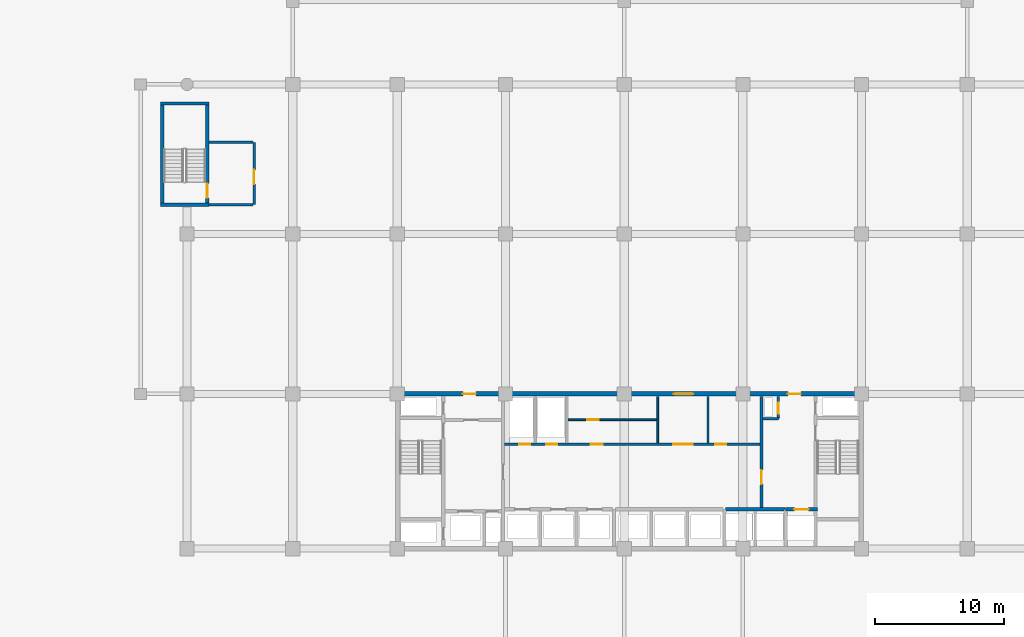
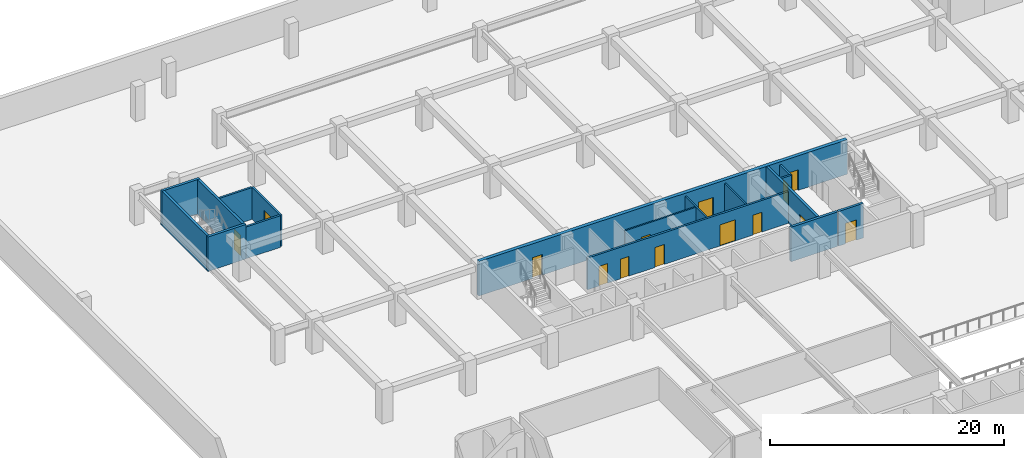
# One storey, part 10 of 23: 17 walls, 14 doors, 14 openings.
"""IFC4 building model written with IfcOpenShell, lengths in metres."""

from ifc_helpers import new_model, si_unit, direction, frame, frame_2d, origin, place, context, subcontext, project, spatial, rectangle, extrude, material, layer, layer_set, type_object, element, fill, save


model = new_model("IFC4")

# Units and contexts
model_context = context("Model", 3, precision=1e-05, world=origin(), true_north=direction((0.0, 1.0)))
body_context = subcontext(model_context, "Body", "Model", "MODEL_VIEW")
ifc_project = project(units=[si_unit("LENGTHUNIT", "METRE"), si_unit("AREAUNIT", "SQUARE_METRE"), si_unit("VOLUMEUNIT", "CUBIC_METRE"), si_unit("PLANEANGLEUNIT", "RADIAN"), si_unit("MASSUNIT", "GRAM", prefix="KILO")], contexts=[model_context])

# Site, building, storey
site_placement = place(None, origin())
site = spatial("IfcSite", under=ifc_project, at=site_placement, CompositionType="ELEMENT")
building_placement = place(site_placement, origin())
building = spatial("IfcBuilding", under=site, at=building_placement, Name="Korimba Cascade Residences", CompositionType="ELEMENT")
storey_placement = place(building_placement, frame((0.0, 0.0, -3.60009765625)))
storey = spatial("IfcBuildingStorey", under=building, at=storey_placement, Name="B01", CompositionType="ELEMENT", Elevation=-3.60009765625)

# Wall, openings, doors
ifc_material_1 = material(Name="Concrete C65/80", Category="concrete")
ifc_layer_1 = layer(ifc_material_1, 0.35009765625)
ifc_layer_set_1 = layer_set([ifc_layer_1], Name="Concrete C65/80")
wall_type_1 = type_object("IfcWallType", Name="WAL-CORE-350", PredefinedType="SHEAR", material=ifc_layer_set_1)
wall_1_placement = place(storey_placement, frame((75.949951171875, 67.199951171875, 0.0), z_axis=(0.0, 0.0, 1.0), x_axis=(1.0, 0.0, 0.0)))
wall_1 = element("IfcWall", 1, at=wall_1_placement, inside=storey, type_object=wall_type_1, Name="B01 Core Shear Wall CW-B01-T1-N", PredefinedType="SHEAR", context=body_context, shape_type="SweptSolid", body=[
    extrude(rectangle(XDim=36.300048828125, YDim=0.35009765625, at=frame_2d((18.14990234375, 0.0))), origin(), (0.0, 0.0, 1.0), 3.60009765625),
])
opening_1_placement = place(wall_1_placement, frame((5.25, 0.0, 0.0)))
opening_1 = element("IfcOpeningElement", 2, at=opening_1_placement, cuts=wall_1, Name="Opening D-FD5", PredefinedType="OPENING", context=body_context, shape_type="SweptSolid", body=[
    extrude(rectangle(XDim=1.0, YDim=2.14990234375, at=frame_2d((0.5, 1.074951171875))), frame((0.0, 0.18505859375, 0.0), z_axis=(0.0, -1.0, 0.0), x_axis=(1.0, 0.0, 0.0)), (0.0, 0.0, 1.0), 0.3701171875),
])
opening_2_placement = place(wall_1_placement, frame((21.60009765625, 0.0, 0.0)))
opening_2 = element("IfcOpeningElement", 3, at=opening_2_placement, cuts=wall_1, Name="Opening D-FD8", PredefinedType="OPENING", context=body_context, shape_type="SweptSolid", body=[
    extrude(rectangle(XDim=1.5, YDim=2.199951171875, at=frame_2d((0.75, 1.10009765625))), frame((0.0, 0.18505859375, 0.0), z_axis=(0.0, -1.0, 0.0), x_axis=(1.0, 0.0, 0.0)), (0.0, 0.0, 1.0), 0.3701171875),
])
opening_3_placement = place(wall_1_placement, frame((30.449951171875, 0.0, 0.0)))
opening_3 = element("IfcOpeningElement", 4, at=opening_3_placement, cuts=wall_1, Name="Opening D-FD5", PredefinedType="OPENING", context=body_context, shape_type="SweptSolid", body=[
    extrude(rectangle(XDim=1.0, YDim=2.14990234375, at=frame_2d((0.5, 1.074951171875))), frame((0.0, 0.18505859375, 0.0), z_axis=(0.0, -1.0, 0.0), x_axis=(1.0, 0.0, 0.0)), (0.0, 0.0, 1.0), 0.3701171875),
])
ifc_material_2 = material(Name="Fire-Rated Acoustic Timber Vestibule Door", Category="wood")
door_type_1 = type_object("IfcDoorType", Name="DR-FD90-1000", OperationType="NOTDEFINED", PredefinedType="DOOR", material=ifc_material_2)
door_1_placement = place(opening_1_placement, origin())
door_1 = element("IfcDoor", 5, at=door_1_placement, inside=storey, type_object=door_type_1, Name="B01 T1 West Core Vestibule Fire Door", OperationType="SINGLE_SWING_RIGHT", OverallHeight=2.14990234375, OverallWidth=1.0, PredefinedType="DOOR", context=body_context, shape_type="SweptSolid", body=[
    extrude(rectangle(XDim=1.0, YDim=2.14990234375, at=frame_2d((0.5, 1.074951171875))), frame((0.0, 0.02490234375, 0.0), z_axis=(0.0, -1.0, 0.0), x_axis=(1.0, 0.0, 0.0)), (0.0, 0.0, 1.0), 0.050048828125),
])
fill(opening_1, door_1)
door_2_placement = place(opening_3_placement, origin())
door_2 = element("IfcDoor", 6, at=door_2_placement, inside=storey, type_object=door_type_1, Name="B01 T1 East Firefighting Vestibule Fire Door", OperationType="SINGLE_SWING_LEFT", OverallHeight=2.14990234375, OverallWidth=1.0, PredefinedType="DOOR", context=body_context, shape_type="SweptSolid", body=[
    extrude(rectangle(XDim=1.0, YDim=2.14990234375, at=frame_2d((0.5, 1.074951171875))), frame((0.0, 0.02490234375, 0.0), z_axis=(0.0, -1.0, 0.0), x_axis=(1.0, 0.0, 0.0)), (0.0, 0.0, 1.0), 0.050048828125),
])
fill(opening_3, door_2)
ifc_material_3 = material(Name="Fire-Rated Glazed Lift Lobby Double Door", Category="glass")
door_type_2 = type_object("IfcDoorType", Name="DR-FD90-1500", OperationType="NOTDEFINED", PredefinedType="DOOR", material=ifc_material_3)
door_3_placement = place(opening_2_placement, origin())
door_3 = element("IfcDoor", 7, at=door_3_placement, inside=storey, type_object=door_type_2, Name="B01 T1 Lift Lobby Fire Door", OperationType="DOUBLE_DOOR_SINGLE_SWING", OverallHeight=2.199951171875, OverallWidth=1.5, PredefinedType="DOOR", context=body_context, shape_type="SweptSolid", body=[
    extrude(rectangle(XDim=1.5, YDim=2.199951171875, at=frame_2d((0.75, 1.10009765625))), frame((0.0, 0.02490234375, 0.0), z_axis=(0.0, -1.0, 0.0), x_axis=(1.0, 0.0, 0.0)), (0.0, 0.0, 1.0), 0.050048828125),
])
fill(opening_2, door_3)

# Wall, opening, door
ifc_material_4 = material(Name="Insulated Acoustic Stud Partition", Category="gypsum")
ifc_layer_2 = layer(ifc_material_4, 0.14990234375)
ifc_layer_set_2 = layer_set([ifc_layer_2], Name="Insulated Acoustic Stud Partition")
wall_type_2 = type_object("IfcWallType", Name="WAL-PART-150", PredefinedType="PARTITIONING", material=ifc_layer_set_2)
wall_2_placement = place(storey_placement, frame((89.25, 65.199951171875, 0.0), z_axis=(0.0, 0.0, 1.0), x_axis=(1.0, 0.0, 0.0)))
wall_2 = element("IfcWall", 8, at=wall_2_placement, inside=storey, type_object=wall_type_2, Name="B01 Partition Wall CW-B01-T1-CA2HZ", PredefinedType="PARTITIONING", context=body_context, shape_type="SweptSolid", body=[
    extrude(rectangle(XDim=7.050048828125, YDim=0.14990234375, at=frame_2d((3.52490234375, 0.0))), origin(), (0.0, 0.0, 1.0), 3.300048828125),
])
opening_4_placement = place(wall_2_placement, frame((1.60009765625, 0.0, 0.0)))
opening_4 = element("IfcOpeningElement", 9, at=opening_4_placement, cuts=wall_2, Name="Opening D-IN2", PredefinedType="OPENING", context=body_context, shape_type="SweptSolid", body=[
    extrude(rectangle(XDim=0.8798828125, YDim=2.06005859375, at=frame_2d((0.43994140625, 1.030029296875))), frame((0.0, 0.0849609375, 0.0), z_axis=(0.0, -1.0, 0.0), x_axis=(1.0, 0.0, 0.0)), (0.0, 0.0, 1.0), 0.169921875),
])
ifc_material_5 = material(Name="Acoustic Timber Bedroom Door", Category="wood")
door_type_3 = type_object("IfcDoorType", Name="DR-INT-880", OperationType="NOTDEFINED", PredefinedType="DOOR", material=ifc_material_5)
door_4_placement = place(opening_4_placement, origin())
door_4 = element("IfcDoor", 10, at=door_4_placement, inside=storey, type_object=door_type_3, Name="B01 Pram Store Door", OperationType="SINGLE_SWING_RIGHT", OverallHeight=2.06005859375, OverallWidth=0.8798828125, PredefinedType="DOOR", context=body_context, shape_type="SweptSolid", body=[
    extrude(rectangle(XDim=0.8798828125, YDim=2.06005859375, at=frame_2d((0.43994140625, 1.030029296875))), frame((0.0, 0.02490234375, 0.0), z_axis=(0.0, -1.0, 0.0), x_axis=(1.0, 0.0, 0.0)), (0.0, 0.0, 1.0), 0.050048828125),
])
fill(opening_4, door_4)

# Walls
for number, where, z_axis, x_axis, name in (
    (11, (96.300048828125, 63.39990234375, 0.0), (0.0, 0.0, 1.0), (0.0, 1.0, 0.0), "B01 Partition Wall CW-B01-T1-THW"),
    (12, (100.199951171875, 63.39990234375, 0.0), (0.0, 0.0, 1.0), (0.0, 1.0, 0.0), "B01 Partition Wall CW-B01-T1-THE"),
):
    element("IfcWall", number, at=place(storey_placement, frame(where, z_axis=z_axis, x_axis=x_axis)), inside=storey, type_object=wall_type_2, Name=name, PredefinedType="PARTITIONING", context=body_context, shape_type="SweptSolid", body=[
        extrude(rectangle(XDim=3.60009765625, YDim=0.14990234375, at=frame_2d((1.800048828125, 0.0))), origin(), (0.0, 0.0, 1.0), 3.300048828125),
    ])

# Wall, openings, doors
ifc_material_6 = material(Name="Concrete C40/50", Category="concrete")
ifc_layer_3 = layer(ifc_material_6, 0.199951171875)
ifc_layer_set_3 = layer_set([ifc_layer_3], Name="Concrete C40/50")
wall_type_3 = type_object("IfcWallType", Name="WAL-PART-200", PredefinedType="PARTITIONING", material=ifc_layer_set_3)
wall_3_placement = place(storey_placement, frame((84.419921875, 63.300048828125, 0.0), z_axis=(0.0, 0.0, 1.0), x_axis=(1.0, 0.0, 0.0)))
wall_3 = element("IfcWall", 13, at=wall_3_placement, inside=storey, type_object=wall_type_3, Name="B01 Partition Wall CW-B01-T1-SRVROW", PredefinedType="PARTITIONING", context=body_context, shape_type="SweptSolid", body=[
    extrude(rectangle(XDim=19.830078125, YDim=0.199951171875, at=frame_2d((9.9150390625, 0.0))), origin(), (0.0, 0.0, 1.0), 3.300048828125),
])
opening_5_placement = place(wall_3_placement, frame((1.14990234375, 0.0, 0.0)))
opening_5 = element("IfcOpeningElement", 14, at=opening_5_placement, cuts=wall_3, Name="Opening D-RS1", PredefinedType="OPENING", context=body_context, shape_type="SweptSolid", body=[
    extrude(rectangle(XDim=0.85009765625, YDim=2.050048828125, at=frame_2d((0.425048828125, 1.02490234375))), frame((0.0, 0.10986328125, 0.0), z_axis=(0.0, -1.0, 0.0), x_axis=(1.0, 0.0, 0.0)), (0.0, 0.0, 1.0), 0.219970703125),
])
opening_6_placement = place(wall_3_placement, frame((3.25, 0.0, 0.0)))
opening_6 = element("IfcOpeningElement", 15, at=opening_6_placement, cuts=wall_3, Name="Opening D-RS1", PredefinedType="OPENING", context=body_context, shape_type="SweptSolid", body=[
    extrude(rectangle(XDim=0.85009765625, YDim=2.050048828125, at=frame_2d((0.425048828125, 1.02490234375))), frame((0.0, 0.10986328125, 0.0), z_axis=(0.0, -1.0, 0.0), x_axis=(1.0, 0.0, 0.0)), (0.0, 0.0, 1.0), 0.219970703125),
])
opening_7_placement = place(wall_3_placement, frame((13.080078125, 0.0, 0.0)))
opening_7 = element("IfcOpeningElement", 16, at=opening_7_placement, cuts=wall_3, Name="Opening D-FD8", PredefinedType="OPENING", context=body_context, shape_type="SweptSolid", body=[
    extrude(rectangle(XDim=1.5, YDim=2.199951171875, at=frame_2d((0.75, 1.10009765625))), frame((0.0, 0.10986328125, 0.0), z_axis=(0.0, -1.0, 0.0), x_axis=(1.0, 0.0, 0.0)), (0.0, 0.0, 1.0), 0.219970703125),
])
opening_8_placement = place(wall_3_placement, frame((6.679931640625, 0.0, 0.0)))
opening_8 = element("IfcOpeningElement", 17, at=opening_8_placement, cuts=wall_3, Name="Opening D-IN1", PredefinedType="OPENING", context=body_context, shape_type="SweptSolid", body=[
    extrude(rectangle(XDim=0.919921875, YDim=2.080078125, at=frame_2d((0.4599609375, 1.0400390625))), frame((0.0, 0.10986328125, 0.0), z_axis=(0.0, -1.0, 0.0), x_axis=(1.0, 0.0, 0.0)), (0.0, 0.0, 1.0), 0.219970703125),
])
opening_9_placement = place(wall_3_placement, frame((16.330078125, 0.0, 0.0)))
opening_9 = element("IfcOpeningElement", 18, at=opening_9_placement, cuts=wall_3, Name="Opening D-IN2", PredefinedType="OPENING", context=body_context, shape_type="SweptSolid", body=[
    extrude(rectangle(XDim=0.8798828125, YDim=2.06005859375, at=frame_2d((0.43994140625, 1.030029296875))), frame((0.0, 0.10986328125, 0.0), z_axis=(0.0, -1.0, 0.0), x_axis=(1.0, 0.0, 0.0)), (0.0, 0.0, 1.0), 0.219970703125),
])
ifc_material_7 = material(Name="Fire-Rated Steel Riser Access Door", Category="steel")
door_type_4 = type_object("IfcDoorType", Name="DR-FD60-850", OperationType="NOTDEFINED", PredefinedType="DOOR", material=ifc_material_7)
door_5_placement = place(opening_5_placement, origin())
door_5 = element("IfcDoor", 19, at=door_5_placement, inside=storey, type_object=door_type_4, Name="B01 Electrical Riser Door", OperationType="SINGLE_SWING_LEFT", OverallHeight=2.050048828125, OverallWidth=0.85009765625, PredefinedType="DOOR", context=body_context, shape_type="SweptSolid", body=[
    extrude(rectangle(XDim=0.85009765625, YDim=2.050048828125, at=frame_2d((0.425048828125, 1.02490234375))), frame((0.0, 0.02490234375, 0.0), z_axis=(0.0, -1.0, 0.0), x_axis=(1.0, 0.0, 0.0)), (0.0, 0.0, 1.0), 0.050048828125),
])
fill(opening_5, door_5)
door_6_placement = place(opening_6_placement, origin())
door_6 = element("IfcDoor", 20, at=door_6_placement, inside=storey, type_object=door_type_4, Name="B01 Plumbing Riser Door", OperationType="SINGLE_SWING_RIGHT", OverallHeight=2.050048828125, OverallWidth=0.85009765625, PredefinedType="DOOR", context=body_context, shape_type="SweptSolid", body=[
    extrude(rectangle(XDim=0.85009765625, YDim=2.050048828125, at=frame_2d((0.425048828125, 1.02490234375))), frame((0.0, 0.02490234375, 0.0), z_axis=(0.0, -1.0, 0.0), x_axis=(1.0, 0.0, 0.0)), (0.0, 0.0, 1.0), 0.050048828125),
])
fill(opening_6, door_6)
door_7_placement = place(opening_7_placement, origin())
door_7 = element("IfcDoor", 21, at=door_7_placement, inside=storey, type_object=door_type_2, Name="B01 Lift Lobby Foyer Archway Door", OperationType="DOUBLE_DOOR_SINGLE_SWING", OverallHeight=2.199951171875, OverallWidth=1.5, PredefinedType="DOOR", context=body_context, shape_type="SweptSolid", body=[
    extrude(rectangle(XDim=1.5, YDim=2.199951171875, at=frame_2d((0.75, 1.10009765625))), frame((0.0, 0.02490234375, 0.0), z_axis=(0.0, -1.0, 0.0), x_axis=(1.0, 0.0, 0.0)), (0.0, 0.0, 1.0), 0.050048828125),
])
fill(opening_7, door_7)
door_8_placement = place(opening_9_placement, origin())
door_8 = element("IfcDoor", 22, at=door_8_placement, inside=storey, type_object=door_type_3, Name="B01 Staff WC Door", OperationType="SINGLE_SWING_RIGHT", OverallHeight=2.06005859375, OverallWidth=0.8798828125, PredefinedType="DOOR", context=body_context, shape_type="SweptSolid", body=[
    extrude(rectangle(XDim=0.8798828125, YDim=2.06005859375, at=frame_2d((0.43994140625, 1.030029296875))), frame((0.0, 0.02490234375, 0.0), z_axis=(0.0, -1.0, 0.0), x_axis=(1.0, 0.0, 0.0)), (0.0, 0.0, 1.0), 0.050048828125),
])
fill(opening_9, door_8)
ifc_material_8 = material(Name="Acoustic Timber Living Door", Category="wood")
door_type_5 = type_object("IfcDoorType", Name="DR-INT-920", OperationType="NOTDEFINED", PredefinedType="DOOR", material=ifc_material_8)
door_9_placement = place(opening_8_placement, origin())
door_9 = element("IfcDoor", 23, at=door_9_placement, inside=storey, type_object=door_type_5, Name="B01 Locker Room Door", OperationType="SINGLE_SWING_LEFT", OverallHeight=2.080078125, OverallWidth=0.919921875, PredefinedType="DOOR", context=body_context, shape_type="SweptSolid", body=[
    extrude(rectangle(XDim=0.919921875, YDim=2.080078125, at=frame_2d((0.4599609375, 1.0400390625))), frame((0.0, 0.02490234375, 0.0), z_axis=(0.0, -1.0, 0.0), x_axis=(1.0, 0.0, 0.0)), (0.0, 0.0, 1.0), 0.050048828125),
])
fill(opening_8, door_9)

# Wall
wall_4_placement = place(storey_placement, frame((104.449951171875, 65.280029296875, 0.0), z_axis=(0.0, 0.0, 1.0), x_axis=(1.0, 0.0, 0.0)))
element("IfcWall", 24, at=wall_4_placement, inside=storey, type_object=wall_type_3, Name="B01 Partition Wall CW-B01-T1-HYDW2S", PredefinedType="PARTITIONING", context=body_context, shape_type="SweptSolid", body=[
    extrude(rectangle(XDim=1.199951171875, YDim=0.199951171875, at=frame_2d((0.60009765625, 0.0))), origin(), (0.0, 0.0, 1.0), 3.300048828125),
])

# Wall, opening, door
wall_5_placement = place(storey_placement, frame((105.64990234375, 65.280029296875, 0.0), z_axis=(0.0, 0.0, 1.0), x_axis=(0.0, 1.0, 0.0)))
wall_5 = element("IfcWall", 25, at=wall_5_placement, inside=storey, type_object=wall_type_3, Name="B01 Partition Wall CW-B01-T1-HYDW2E", PredefinedType="PARTITIONING", context=body_context, shape_type="SweptSolid", body=[
    extrude(rectangle(XDim=1.719970703125, YDim=0.199951171875, at=frame_2d((0.85986328125, 0.0))), origin(), (0.0, 0.0, 1.0), 3.300048828125),
])
opening_10_placement = place(wall_5_placement, frame((0.39990234375, 0.0, 0.0)))
opening_10 = element("IfcOpeningElement", 26, at=opening_10_placement, cuts=wall_5, Name="Opening D-RS1", PredefinedType="OPENING", context=body_context, shape_type="SweptSolid", body=[
    extrude(rectangle(XDim=0.85009765625, YDim=2.050048828125, at=frame_2d((0.425048828125, 1.02490234375))), frame((0.0, 0.10986328125, 0.0), z_axis=(0.0, -1.0, 0.0), x_axis=(1.0, 0.0, 0.0)), (0.0, 0.0, 1.0), 0.219970703125),
])
door_10_placement = place(opening_10_placement, origin())
door_10 = element("IfcDoor", 27, at=door_10_placement, inside=storey, type_object=door_type_4, Name="B01 East Hydrant Door", OperationType="SINGLE_SWING_LEFT", OverallHeight=2.050048828125, OverallWidth=0.85009765625, PredefinedType="DOOR", context=body_context, shape_type="SweptSolid", body=[
    extrude(rectangle(XDim=0.85009765625, YDim=2.050048828125, at=frame_2d((0.425048828125, 1.02490234375))), frame((0.0, 0.02490234375, 0.0), z_axis=(0.0, -1.0, 0.0), x_axis=(1.0, 0.0, 0.0)), (0.0, 0.0, 1.0), 0.050048828125),
])
fill(opening_10, door_10)

wall_6_placement = place(storey_placement, frame((65.0, 81.875, 0.0), z_axis=(0.0, 0.0, 1.0), x_axis=(0.0, 1.0, 0.0)))
wall_6 = element("IfcWall", 28, at=wall_6_placement, inside=storey, type_object=wall_type_3, Name="B01 Partition Wall CW-B01-PL5E", PredefinedType="PARTITIONING", context=body_context, shape_type="SweptSolid", body=[
    extrude(rectangle(XDim=4.824951171875, YDim=0.199951171875, at=frame_2d((2.41259765625, 0.0))), origin(), (0.0, 0.0, 1.0), 3.300048828125),
])
opening_11_placement = place(wall_6_placement, frame((1.60009765625, 0.0, 0.0)))
opening_11 = element("IfcOpeningElement", 29, at=opening_11_placement, cuts=wall_6, Name="Opening D-FD6", PredefinedType="OPENING", context=body_context, shape_type="SweptSolid", body=[
    extrude(rectangle(XDim=1.10009765625, YDim=2.14990234375, at=frame_2d((0.550048828125, 1.074951171875))), frame((0.0, 0.10986328125, 0.0), z_axis=(0.0, -1.0, 0.0), x_axis=(1.0, 0.0, 0.0)), (0.0, 0.0, 1.0), 0.219970703125),
])
ifc_material_9 = material(Name="Fire-Rated Timber Stair Lobby Door", Category="wood")
door_type_6 = type_object("IfcDoorType", Name="DR-FD90-1100", OperationType="NOTDEFINED", PredefinedType="DOOR", material=ifc_material_9)
door_11_placement = place(opening_11_placement, origin())
door_11 = element("IfcDoor", 30, at=door_11_placement, inside=storey, type_object=door_type_6, Name="B01 North-West Stair Vestibule Door", OperationType="SINGLE_SWING_LEFT", OverallHeight=2.14990234375, OverallWidth=1.10009765625, PredefinedType="DOOR", context=body_context, shape_type="SweptSolid", body=[
    extrude(rectangle(XDim=1.10009765625, YDim=2.14990234375, at=frame_2d((0.550048828125, 1.074951171875))), frame((0.0, 0.02490234375, 0.0), z_axis=(0.0, -1.0, 0.0), x_axis=(1.0, 0.0, 0.0)), (0.0, 0.0, 1.0), 0.050048828125),
])
fill(opening_11, door_11)

# Walls
for number, where, z_axis, x_axis, name in (
    (31, (61.5, 81.875, 0.0), (0.0, 0.0, 1.0), (1.0, 0.0, 0.0), "B01 Partition Wall CW-B01-PL5S"),
    (32, (61.5, 86.699951171875, 0.0), (0.0, 0.0, 1.0), (1.0, 0.0, 0.0), "B01 Partition Wall CW-B01-PL5N"),
):
    element("IfcWall", number, at=place(storey_placement, frame(where, z_axis=z_axis, x_axis=x_axis)), inside=storey, type_object=wall_type_3, Name=name, PredefinedType="PARTITIONING", context=body_context, shape_type="SweptSolid", body=[
        extrude(rectangle(XDim=3.39990234375, YDim=0.199951171875, at=frame_2d((1.699951171875, 0.0))), origin(), (0.0, 0.0, 1.0), 3.300048828125),
    ])
ifc_material_10 = material(Name="Concrete C50/60", Category="concrete")
ifc_layer_4 = layer(ifc_material_10, 0.25)
ifc_layer_set_4 = layer_set([ifc_layer_4], Name="Concrete C50/60")
wall_type_4 = type_object("IfcWallType", Name="WAL-SHAFT-250", PredefinedType="SHEAR", material=ifc_layer_set_4)
wall_7_placement = place(storey_placement, frame((101.550048828125, 58.25, 0.0), z_axis=(0.0, 0.0, 1.0), x_axis=(1.0, 0.0, 0.0)))
element("IfcWall", 33, at=wall_7_placement, inside=storey, type_object=wall_type_4, Name="B01 Core Shear Wall CW-B01-T1-B3N", PredefinedType="SHEAR", context=body_context, shape_type="SweptSolid", body=[
    extrude(rectangle(XDim=4.599853515625, YDim=0.25, at=frame_2d((2.2998046875, 0.0))), origin(), (0.0, 0.0, 1.0), 3.60009765625),
])

# Wall, opening, door
wall_8_placement = place(storey_placement, frame((106.219970703125, 58.25, 0.0), z_axis=(0.0, 0.0, 1.0), x_axis=(1.0, 0.0, 0.0)))
wall_8 = element("IfcWall", 34, at=wall_8_placement, inside=storey, type_object=wall_type_4, Name="B01 Core Shear Wall CW-B01-T1-FF2N", PredefinedType="SHEAR", context=body_context, shape_type="SweptSolid", body=[
    extrude(rectangle(XDim=2.4599609375, YDim=0.25, at=frame_2d((1.22998046875, 0.0))), origin(), (0.0, 0.0, 1.0), 3.60009765625),
])
opening_12_placement = place(wall_8_placement, frame((0.669921875, 0.0, 0.0)))
opening_12 = element("IfcOpeningElement", 35, at=opening_12_placement, cuts=wall_8, Name="Opening LD-01", PredefinedType="OPENING", context=body_context, shape_type="SweptSolid", body=[
    extrude(rectangle(XDim=1.1201171875, YDim=2.1201171875, at=frame_2d((0.56005859375, 1.06005859375))), frame((0.0, 0.135009765625, 0.0), z_axis=(0.0, -1.0, 0.0), x_axis=(1.0, 0.0, 0.0)), (0.0, 0.0, 1.0), 0.27001953125),
])
ifc_material_11 = material(Name="Stainless Steel Lift Landing Sliding Door", Category="steel")
door_type_7 = type_object("IfcDoorType", Name="DR-LIFT-1100", OperationType="NOTDEFINED", PredefinedType="DOOR", material=ifc_material_11)
door_12_placement = place(opening_12_placement, origin())
door_12 = element("IfcDoor", 36, at=door_12_placement, inside=storey, type_object=door_type_7, Name="B01 Firefighting Lift Landing Door FFL-W2", OperationType="SLIDING_TO_RIGHT", OverallHeight=2.1201171875, OverallWidth=1.1201171875, PredefinedType="DOOR", context=body_context, shape_type="SweptSolid", body=[
    extrude(rectangle(XDim=1.1201171875, YDim=2.1201171875, at=frame_2d((0.56005859375, 1.06005859375))), frame((0.0, 0.02490234375, 0.0), z_axis=(0.0, -1.0, 0.0), x_axis=(1.0, 0.0, 0.0)), (0.0, 0.0, 1.0), 0.050048828125),
])
fill(opening_12, door_12)

wall_9_placement = place(storey_placement, frame((104.35009765625, 58.39990234375, 0.0), z_axis=(0.0, 0.0, 1.0), x_axis=(0.0, 1.0, 0.0)))
wall_9 = element("IfcWall", 37, at=wall_9_placement, inside=storey, type_object=wall_type_4, Name="B01 Core Shear Wall CW-B01-T1-LLEV", PredefinedType="SHEAR", context=body_context, shape_type="SweptSolid", body=[
    extrude(rectangle(XDim=8.60009765625, YDim=0.25, at=frame_2d((4.300048828125, 0.0))), origin(), (0.0, 0.0, 1.0), 3.60009765625),
])
opening_13_placement = place(wall_9_placement, frame((1.800048828125, 0.0, 0.0)))
opening_13 = element("IfcOpeningElement", 38, at=opening_13_placement, cuts=wall_9, Name="Opening D-FD1", PredefinedType="OPENING", context=body_context, shape_type="SweptSolid", body=[
    extrude(rectangle(XDim=1.10009765625, YDim=2.10009765625, at=frame_2d((0.550048828125, 1.050048828125))), frame((0.0, 0.135009765625, 0.0), z_axis=(0.0, -1.0, 0.0), x_axis=(1.0, 0.0, 0.0)), (0.0, 0.0, 1.0), 0.27001953125),
])
ifc_material_12 = material(Name="Fire-Rated Steel Core Door", Category="steel")
door_type_8 = type_object("IfcDoorType", Name="DR-FD120-1100", OperationType="NOTDEFINED", PredefinedType="DOOR", material=ifc_material_12)
door_13_placement = place(opening_13_placement, origin())
door_13 = element("IfcDoor", 39, at=door_13_placement, inside=storey, type_object=door_type_8, Name="B01 Lift Lobby to East Firefighting Lobby Door", OperationType="SINGLE_SWING_RIGHT", OverallHeight=2.10009765625, OverallWidth=1.10009765625, PredefinedType="DOOR", context=body_context, shape_type="SweptSolid", body=[
    extrude(rectangle(XDim=1.10009765625, YDim=2.10009765625, at=frame_2d((0.550048828125, 1.050048828125))), frame((0.0, 0.02490234375, 0.0), z_axis=(0.0, -1.0, 0.0), x_axis=(1.0, 0.0, 0.0)), (0.0, 0.0, 1.0), 0.050048828125),
])
fill(opening_13, door_13)

# Walls
wall_10_placement = place(storey_placement, frame((57.875, 82.0, 0.0), z_axis=(0.0, 0.0, 1.0), x_axis=(0.0, 1.0, 0.0)))
element("IfcWall", 40, at=wall_10_placement, inside=storey, type_object=wall_type_4, Name="B01 Core Shear Wall CW-B01-STP5W", PredefinedType="SHEAR", context=body_context, shape_type="SweptSolid", body=[
    extrude(rectangle(XDim=7.60009765625, YDim=0.25, at=frame_2d((3.800048828125, 0.0))), origin(), (0.0, 0.0, 1.0), 3.60009765625),
])
for number, where, z_axis, x_axis, name in (
    (41, (57.75, 81.875, 0.0), (0.0, 0.0, 1.0), (1.0, 0.0, 0.0), "B01 Core Shear Wall CW-B01-STP5S"),
    (42, (57.75, 89.72509765625, 0.0), (0.0, 0.0, 1.0), (1.0, 0.0, 0.0), "B01 Core Shear Wall CW-B01-STP5N"),
):
    element("IfcWall", number, at=place(storey_placement, frame(where, z_axis=z_axis, x_axis=x_axis)), inside=storey, type_object=wall_type_4, Name=name, PredefinedType="SHEAR", context=body_context, shape_type="SweptSolid", body=[
        extrude(rectangle(XDim=3.739990234375, YDim=0.25, at=frame_2d((1.8701171875, 0.0))), origin(), (0.0, 0.0, 1.0), 3.60009765625),
    ])

# Wall, opening, door
wall_11_placement = place(storey_placement, frame((61.364990234375, 82.0, 0.0), z_axis=(0.0, 0.0, 1.0), x_axis=(0.0, 1.0, 0.0)))
wall_11 = element("IfcWall", 43, at=wall_11_placement, inside=storey, type_object=wall_type_4, Name="B01 Core Shear Wall CW-B01-STP5E", PredefinedType="SHEAR", context=body_context, shape_type="SweptSolid", body=[
    extrude(rectangle(XDim=7.60009765625, YDim=0.25, at=frame_2d((3.800048828125, 0.0))), origin(), (0.0, 0.0, 1.0), 3.60009765625),
])
opening_14_placement = place(wall_11_placement, frame((0.39990234375, 0.0, 0.0)))
opening_14 = element("IfcOpeningElement", 44, at=opening_14_placement, cuts=wall_11, Name="Opening D-FD1", PredefinedType="OPENING", context=body_context, shape_type="SweptSolid", body=[
    extrude(rectangle(XDim=1.10009765625, YDim=2.10009765625, at=frame_2d((0.550048828125, 1.050048828125))), frame((0.0, 0.135009765625, 0.0), z_axis=(0.0, -1.0, 0.0), x_axis=(1.0, 0.0, 0.0)), (0.0, 0.0, 1.0), 0.27001953125),
])
door_14_placement = place(opening_14_placement, origin())
door_14 = element("IfcDoor", 45, at=door_14_placement, inside=storey, type_object=door_type_8, Name="B01 Podium Stair ST-P5 Door", OperationType="SINGLE_SWING_RIGHT", OverallHeight=2.10009765625, OverallWidth=1.10009765625, PredefinedType="DOOR", context=body_context, shape_type="SweptSolid", body=[
    extrude(rectangle(XDim=1.10009765625, YDim=2.10009765625, at=frame_2d((0.550048828125, 1.050048828125))), frame((0.0, 0.02490234375, 0.0), z_axis=(0.0, -1.0, 0.0), x_axis=(1.0, 0.0, 0.0)), (0.0, 0.0, 1.0), 0.050048828125),
])
fill(opening_14, door_14)

save(model, "model.ifc")
